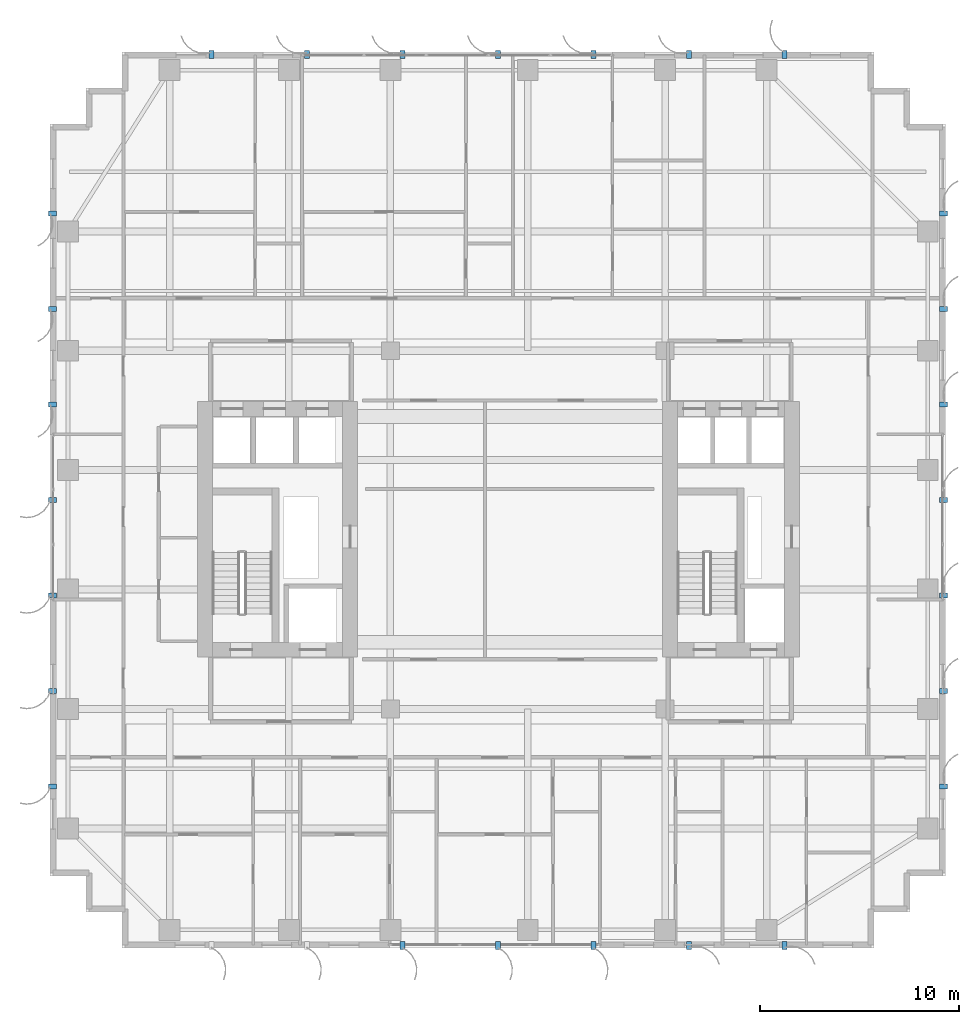
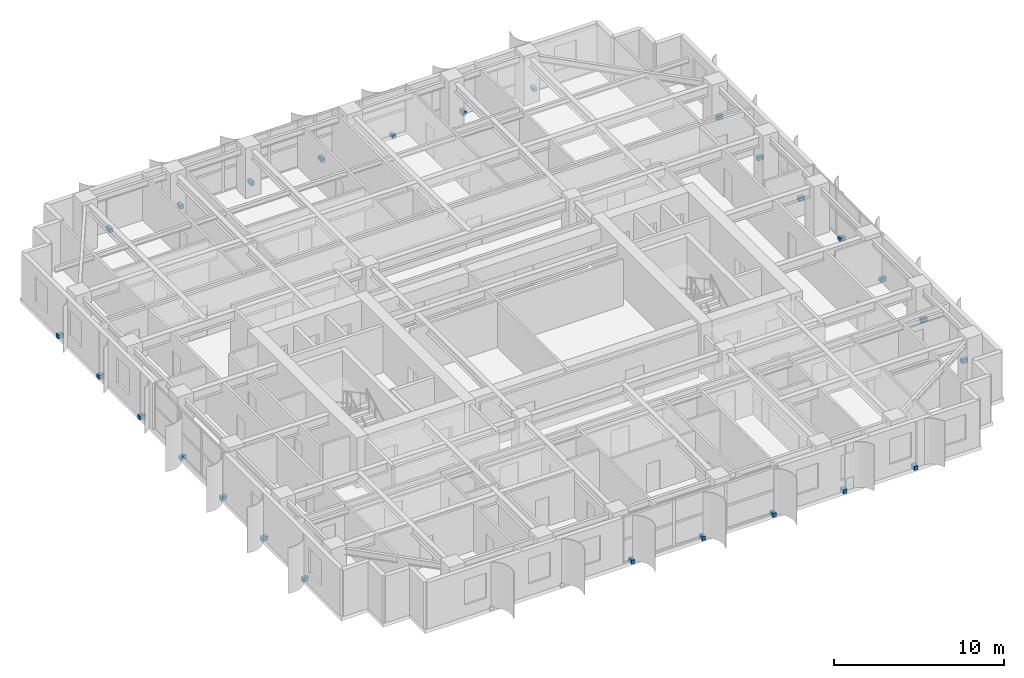
# One storey, part 18 of 22: 26 discrete accessories.
"""IFC4 building model written with IfcOpenShell, lengths in metres."""

from ifc_helpers import new_model, si_unit, direction, frame, origin, origin_2d, place, context, subcontext, project, spatial, rectangle, extrude, source, transform, mapped, material, type_object, element, save


model = new_model("IFC4")

# Units and contexts
model_context = context("Model", 3, precision=1e-05, world=origin(), true_north=direction((0.0, 1.0)))
body_context = subcontext(model_context, "Body", "Model", "MODEL_VIEW")
ifc_project = project(units=[si_unit("LENGTHUNIT", "METRE"), si_unit("AREAUNIT", "SQUARE_METRE"), si_unit("VOLUMEUNIT", "CUBIC_METRE"), si_unit("PLANEANGLEUNIT", "RADIAN"), si_unit("MASSUNIT", "GRAM", prefix="KILO")], contexts=[model_context])

# Site, building, storey
site_placement = place(None, origin())
site = spatial("IfcSite", under=ifc_project, at=site_placement, CompositionType="ELEMENT")
building_placement = place(site_placement, origin())
building = spatial("IfcBuilding", under=site, at=building_placement, Name="Khoralis Quay Care Tower", CompositionType="ELEMENT")
storey_placement = place(building_placement, frame((0.0, 0.0, 98.10009765625)))
storey = spatial("IfcBuildingStorey", under=building, at=storey_placement, Name="L25", CompositionType="ELEMENT", Elevation=98.10009765625)

# Discrete accessories
ifc_material = material(Name="Brushed stainless steel", Category="steel")
discrete_accessory_type = type_object("IfcDiscreteAccessoryType", Name="ACC-FIN-BRACKET", PredefinedType="BRACKET", material=ifc_material)
shared_shape = source(origin(), body_context, "Body", "SweptSolid", [
    extrude(rectangle(XDim=0.39990234375, YDim=0.239990234375, at=origin_2d()), origin(), (0.0, 0.0, 1.0), 0.280029296875),
])
for number, where, z_axis, x_axis, name in (
    (1, (17.699951171875, 0.110107421875, -0.1201171875), (0.0, 0.0, 1.0), (0.0, -1.0, 0.0), "L25 Solar Fin Bracket P1E0-03"),
    (2, (22.5, 0.110107421875, -0.1201171875), (0.0, 0.0, 1.0), (0.0, -1.0, 0.0), "L25 Solar Fin Bracket P1E0-04"),
    (3, (27.300048828125, 0.110107421875, -0.1201171875), (0.0, 0.0, 1.0), (0.0, -1.0, 0.0), "L25 Solar Fin Bracket P1E0-05"),
    (4, (32.10009765625, 0.110107421875, -0.1201171875), (0.0, 0.0, 1.0), (0.0, -1.0, 0.0), "L25 Solar Fin Bracket P1E0-06"),
    (5, (36.89990234375, 0.110107421875, -0.1201171875), (0.0, 0.0, 1.0), (0.0, -1.0, 0.0), "L25 Solar Fin Bracket P1E0-07"),
    (6, (44.889892578125, 8.10009765625, -0.1201171875), (0.0, 0.0, 1.0), (1.0, 0.0, 0.0), "L25 Solar Fin Bracket P1E5-01"),
    (7, (44.889892578125, 12.89990234375, -0.1201171875), (0.0, 0.0, 1.0), (1.0, 0.0, 0.0), "L25 Solar Fin Bracket P1E5-02"),
    (8, (44.889892578125, 17.699951171875, -0.1201171875), (0.0, 0.0, 1.0), (1.0, 0.0, 0.0), "L25 Solar Fin Bracket P1E5-03"),
    (9, (44.889892578125, 22.5, -0.1201171875), (0.0, 0.0, 1.0), (1.0, 0.0, 0.0), "L25 Solar Fin Bracket P1E5-04"),
    (10, (44.889892578125, 27.300048828125, -0.1201171875), (0.0, 0.0, 1.0), (1.0, 0.0, 0.0), "L25 Solar Fin Bracket P1E5-05"),
    (11, (44.889892578125, 32.10009765625, -0.1201171875), (0.0, 0.0, 1.0), (1.0, 0.0, 0.0), "L25 Solar Fin Bracket P1E5-06"),
    (12, (44.889892578125, 36.89990234375, -0.1201171875), (0.0, 0.0, 1.0), (1.0, 0.0, 0.0), "L25 Solar Fin Bracket P1E5-07"),
    (13, (36.89990234375, 44.889892578125, -0.1201171875), (0.0, 0.0, 1.0), (0.0, 1.0, 0.0), "L25 Solar Fin Bracket P1E10-01"),
    (14, (32.10009765625, 44.889892578125, -0.1201171875), (0.0, 0.0, 1.0), (0.0, 1.0, 0.0), "L25 Solar Fin Bracket P1E10-02"),
    (15, (27.300048828125, 44.889892578125, -0.1201171875), (0.0, 0.0, 1.0), (0.0, 1.0, 0.0), "L25 Solar Fin Bracket P1E10-03"),
    (16, (22.5, 44.889892578125, -0.1201171875), (0.0, 0.0, 1.0), (0.0, 1.0, 0.0), "L25 Solar Fin Bracket P1E10-04"),
    (17, (17.699951171875, 44.889892578125, -0.1201171875), (0.0, 0.0, 1.0), (0.0, 1.0, 0.0), "L25 Solar Fin Bracket P1E10-05"),
    (18, (12.89990234375, 44.889892578125, -0.1201171875), (0.0, 0.0, 1.0), (0.0, 1.0, 0.0), "L25 Solar Fin Bracket P1E10-06"),
    (19, (8.10009765625, 44.889892578125, -0.1201171875), (0.0, 0.0, 1.0), (0.0, 1.0, 0.0), "L25 Solar Fin Bracket P1E10-07"),
    (20, (0.110107421875, 36.89990234375, -0.1201171875), (0.0, 0.0, 1.0), (-1.0, 0.0, 0.0), "L25 Solar Fin Bracket P1E15-01"),
    (21, (0.110107421875, 32.10009765625, -0.1201171875), (0.0, 0.0, 1.0), (-1.0, 0.0, 0.0), "L25 Solar Fin Bracket P1E15-02"),
    (22, (0.110107421875, 27.300048828125, -0.1201171875), (0.0, 0.0, 1.0), (-1.0, 0.0, 0.0), "L25 Solar Fin Bracket P1E15-03"),
    (23, (0.110107421875, 22.5, -0.1201171875), (0.0, 0.0, 1.0), (-1.0, 0.0, 0.0), "L25 Solar Fin Bracket P1E15-04"),
    (24, (0.110107421875, 17.699951171875, -0.1201171875), (0.0, 0.0, 1.0), (-1.0, 0.0, 0.0), "L25 Solar Fin Bracket P1E15-05"),
    (25, (0.110107421875, 12.89990234375, -0.1201171875), (0.0, 0.0, 1.0), (-1.0, 0.0, 0.0), "L25 Solar Fin Bracket P1E15-06"),
    (26, (0.110107421875, 8.10009765625, -0.1201171875), (0.0, 0.0, 1.0), (-1.0, 0.0, 0.0), "L25 Solar Fin Bracket P1E15-07"),
):
    element("IfcDiscreteAccessory", number, at=place(storey_placement, frame(where, z_axis=z_axis, x_axis=x_axis)), inside=storey, type_object=discrete_accessory_type, Name=name, PredefinedType="BRACKET", context=body_context, shape_type="MappedRepresentation", body=[
        mapped(shared_shape, transform((0.0, 0.0, 0.0), scale=1.0)),
    ])

save(model, "model.ifc")
